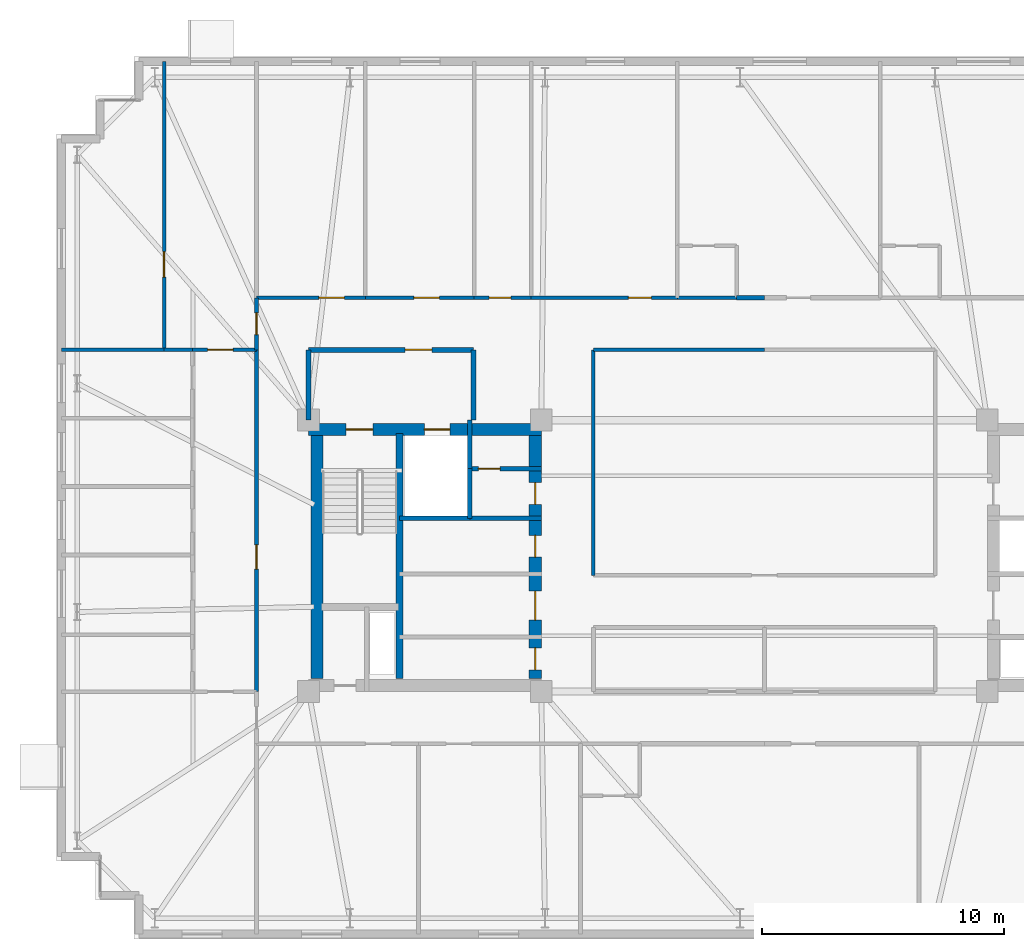
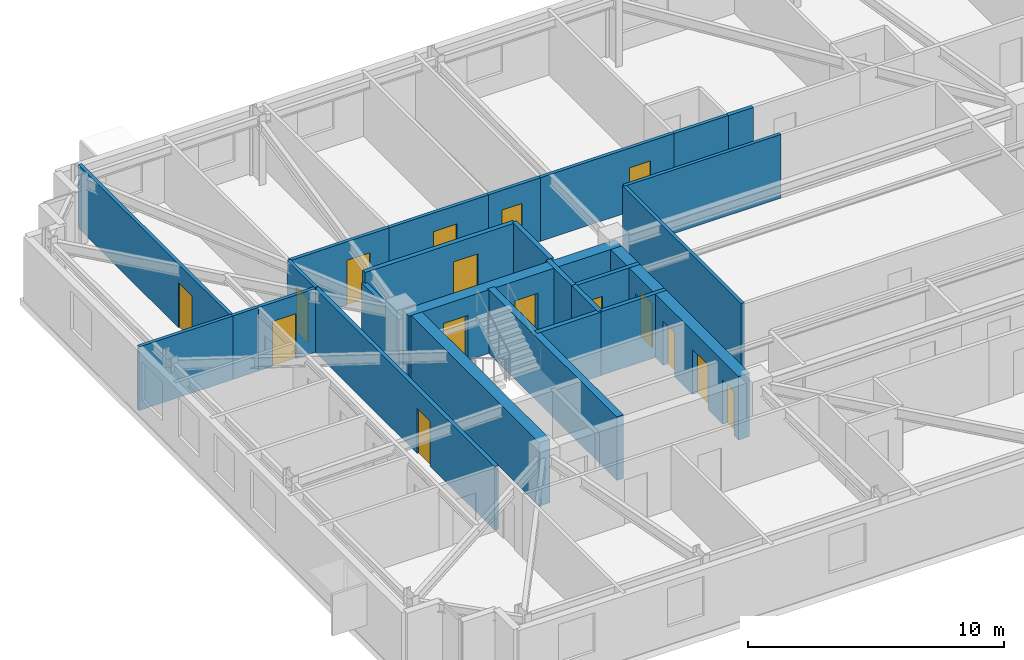
# One storey, part 12 of 17: 26 walls, 16 doors, 16 openings.
"""IFC4 building model written with IfcOpenShell, lengths in metres."""

from ifc_helpers import new_model, si_unit, direction, frame, frame_2d, origin, place, context, subcontext, project, spatial, rectangle, extrude, material, layer, layer_set, type_object, element, fill, save


model = new_model("IFC4")

# Units and contexts
model_context = context("Model", 3, precision=1e-05, world=origin(), true_north=direction((0.0, 1.0)))
body_context = subcontext(model_context, "Body", "Model", "MODEL_VIEW")
ifc_project = project(units=[si_unit("LENGTHUNIT", "METRE"), si_unit("AREAUNIT", "SQUARE_METRE"), si_unit("VOLUMEUNIT", "CUBIC_METRE"), si_unit("PLANEANGLEUNIT", "RADIAN"), si_unit("MASSUNIT", "GRAM", prefix="KILO")], contexts=[model_context])

# Site, building, storey
site_placement = place(None, origin())
site = spatial("IfcSite", under=ifc_project, at=site_placement, CompositionType="ELEMENT")
building_placement = place(site_placement, origin())
building = spatial("IfcBuilding", under=site, at=building_placement, Name="Qobustan Lattice House", CompositionType="ELEMENT")
storey_placement = place(building_placement, frame((0.0, 0.0, 167.85009765625)))
storey = spatial("IfcBuildingStorey", under=building, at=storey_placement, Name="L47", CompositionType="ELEMENT", Elevation=167.85009765625)

# Wall, openings, doors
ifc_material_1 = material(Name="Concrete C50/60", Category="concrete")
ifc_layer_1 = layer(ifc_material_1, 0.5)
ifc_layer_set_1 = layer_set([ifc_layer_1], Name="Concrete C50/60")
wall_type_1 = type_object("IfcWallType", Name="WAL-CORE-500", PredefinedType="SHEAR", material=ifc_layer_set_1)
wall_1_placement = place(storey_placement, frame((-18.800048828125, 5.2099609375, 0.0), z_axis=(0.0, 0.0, 1.0), x_axis=(1.0, 0.0, 0.0)))
wall_1 = element("IfcWall", 1, at=wall_1_placement, inside=storey, type_object=wall_type_1, Name="L47 split-core shear wall CW-N", PredefinedType="SHEAR", context=body_context, shape_type="SweptSolid", body=[
    extrude(rectangle(XDim=9.60009765625, YDim=0.5, at=frame_2d((4.800048828125, 0.0))), origin(), (0.0, 0.0, 1.0), 3.039794921875),
])
opening_1_placement = place(wall_1_placement, frame((1.550048828125, 0.0, 0.0)))
opening_1 = element("IfcOpeningElement", 2, at=opening_1_placement, cuts=wall_1, Name="Opening SD-01", PredefinedType="OPENING", context=body_context, shape_type="SweptSolid", body=[
    extrude(rectangle(XDim=1.10009765625, YDim=2.14990234375, at=frame_2d((0.550048828125, 1.074951171875))), frame((0.0, 0.260009765625, 0.0), z_axis=(0.0, -1.0, 0.0), x_axis=(1.0, 0.0, 0.0)), (0.0, 0.0, 1.0), 0.52001953125),
])
opening_2_placement = place(wall_1_placement, frame((4.77490234375, 0.0, 0.0)))
opening_2 = element("IfcOpeningElement", 3, at=opening_2_placement, cuts=wall_1, Name="Opening LD-01", PredefinedType="OPENING", context=body_context, shape_type="SweptSolid", body=[
    extrude(rectangle(XDim=1.050048828125, YDim=2.10009765625, at=frame_2d((0.52490234375, 1.050048828125))), frame((0.0, 0.260009765625, 0.0), z_axis=(0.0, -1.0, 0.0), x_axis=(1.0, 0.0, 0.0)), (0.0, 0.0, 1.0), 0.52001953125),
])
ifc_material_2 = material(Name="Persian walnut timber and steel frame door", Category="steel")
door_type_1 = type_object("IfcDoorType", Name="DOR-LIFT-LD-1050x2100", OperationType="NOTDEFINED", PredefinedType="DOOR", material=ifc_material_2)
door_1_placement = place(opening_2_placement, origin())
door_1 = element("IfcDoor", 4, at=door_1_placement, inside=storey, type_object=door_type_1, Name="L47 firefighting lift FF-W landing door", OperationType="DOUBLE_DOOR_SLIDING", OverallHeight=2.10009765625, OverallWidth=1.050048828125, PredefinedType="DOOR", context=body_context, shape_type="SweptSolid", body=[
    extrude(rectangle(XDim=1.050048828125, YDim=2.10009765625, at=frame_2d((0.52490234375, 1.050048828125))), frame((0.0, 0.02490234375, 0.0), z_axis=(0.0, -1.0, 0.0), x_axis=(1.0, 0.0, 0.0)), (0.0, 0.0, 1.0), 0.050048828125),
])
fill(opening_2, door_1)
ifc_material_3 = material(Name="Persian walnut timber and steel frame door", Category="steel")
door_type_2 = type_object("IfcDoorType", Name="DOR-STAIR-FD-1100x2150", OperationType="NOTDEFINED", PredefinedType="DOOR", material=ifc_material_3)
door_2_placement = place(opening_1_placement, origin())
door_2 = element("IfcDoor", 5, at=door_2_placement, inside=storey, type_object=door_type_2, Name="L47 exit stair ST-W1 fire door", OperationType="SINGLE_SWING_LEFT", OverallHeight=2.14990234375, OverallWidth=1.10009765625, PredefinedType="DOOR", context=body_context, shape_type="SweptSolid", body=[
    extrude(rectangle(XDim=1.10009765625, YDim=2.14990234375, at=frame_2d((0.550048828125, 1.074951171875))), frame((0.0, 0.02490234375, 0.0), z_axis=(0.0, -1.0, 0.0), x_axis=(1.0, 0.0, 0.0)), (0.0, 0.0, 1.0), 0.050048828125),
])
fill(opening_1, door_2)

# Wall
wall_2_placement = place(storey_placement, frame((-18.4599609375, -5.050048828125, 0.0), z_axis=(0.0, 0.0, 1.0), x_axis=(0.0, 1.0, 0.0)))
element("IfcWall", 6, at=wall_2_placement, inside=storey, type_object=wall_type_1, Name="L47 split-core shear wall CW-W", PredefinedType="SHEAR", context=body_context, shape_type="SweptSolid", body=[
    extrude(rectangle(XDim=10.10009765625, YDim=0.5, at=frame_2d((5.050048828125, 0.0))), origin(), (0.0, 0.0, 1.0), 3.039794921875),
])

# Wall, openings, doors
wall_3_placement = place(storey_placement, frame((-9.449951171875, -5.050048828125, 0.0), z_axis=(0.0, 0.0, 1.0), x_axis=(0.0, 1.0, 0.0)))
wall_3 = element("IfcWall", 7, at=wall_3_placement, inside=storey, type_object=wall_type_1, Name="L47 split-core shear wall CW-E", PredefinedType="SHEAR", context=body_context, shape_type="SweptSolid", body=[
    extrude(rectangle(XDim=10.10009765625, YDim=0.5, at=frame_2d((5.050048828125, 0.0))), origin(), (0.0, 0.0, 1.0), 3.039794921875),
])
opening_3_placement = place(wall_3_placement, frame((7.175048828125, 0.0, 0.0)))
opening_3 = element("IfcOpeningElement", 8, at=opening_3_placement, cuts=wall_3, Name="Opening RD-01", PredefinedType="OPENING", context=body_context, shape_type="SweptSolid", body=[
    extrude(rectangle(XDim=0.89990234375, YDim=2.10009765625, at=frame_2d((0.449951171875, 1.050048828125))), frame((0.0, 0.260009765625, 0.0), z_axis=(0.0, -1.0, 0.0), x_axis=(1.0, 0.0, 0.0)), (0.0, 0.0, 1.0), 0.52001953125),
])
opening_4_placement = place(wall_3_placement, frame((2.39990234375, 0.0, 0.0)))
opening_4 = element("IfcOpeningElement", 9, at=opening_4_placement, cuts=wall_3, Name="Opening FD-01", PredefinedType="OPENING", context=body_context, shape_type="SweptSolid", body=[
    extrude(rectangle(XDim=1.199951171875, YDim=2.14990234375, at=frame_2d((0.60009765625, 1.074951171875))), frame((0.0, 0.260009765625, 0.0), z_axis=(0.0, -1.0, 0.0), x_axis=(1.0, 0.0, 0.0)), (0.0, 0.0, 1.0), 0.52001953125),
])
opening_5_placement = place(wall_3_placement, frame((0.35009765625, 0.0, 0.0)))
opening_5 = element("IfcOpeningElement", 10, at=opening_5_placement, cuts=wall_3, Name="Opening RD-01", PredefinedType="OPENING", context=body_context, shape_type="SweptSolid", body=[
    extrude(rectangle(XDim=0.89990234375, YDim=2.10009765625, at=frame_2d((0.449951171875, 1.050048828125))), frame((0.0, 0.260009765625, 0.0), z_axis=(0.0, -1.0, 0.0), x_axis=(1.0, 0.0, 0.0)), (0.0, 0.0, 1.0), 0.52001953125),
])
opening_6_placement = place(wall_3_placement, frame((5.0, 0.0, 0.0)))
opening_6 = element("IfcOpeningElement", 11, at=opening_6_placement, cuts=wall_3, Name="Opening RD-01", PredefinedType="OPENING", context=body_context, shape_type="SweptSolid", body=[
    extrude(rectangle(XDim=0.89990234375, YDim=2.10009765625, at=frame_2d((0.449951171875, 1.050048828125))), frame((0.0, 0.260009765625, 0.0), z_axis=(0.0, -1.0, 0.0), x_axis=(1.0, 0.0, 0.0)), (0.0, 0.0, 1.0), 0.52001953125),
])
ifc_material_4 = material(Name="Persian walnut timber and steel frame door", Category="steel")
door_type_3 = type_object("IfcDoorType", Name="DOR-LOBBY-FD-1200x2150", OperationType="NOTDEFINED", PredefinedType="DOOR", material=ifc_material_4)
door_3_placement = place(opening_4_placement, origin())
door_3 = element("IfcDoor", 12, at=door_3_placement, inside=storey, type_object=door_type_3, Name="L47 West core foyer fire door", OperationType="SINGLE_SWING_RIGHT", OverallHeight=2.14990234375, OverallWidth=1.199951171875, PredefinedType="DOOR", context=body_context, shape_type="SweptSolid", body=[
    extrude(rectangle(XDim=1.199951171875, YDim=2.14990234375, at=frame_2d((0.60009765625, 1.074951171875))), frame((0.0, 0.02490234375, 0.0), z_axis=(0.0, -1.0, 0.0), x_axis=(1.0, 0.0, 0.0)), (0.0, 0.0, 1.0), 0.050048828125),
])
fill(opening_4, door_3)
ifc_material_5 = material(Name="Persian walnut timber and steel frame door", Category="steel")
door_type_4 = type_object("IfcDoorType", Name="DOR-RISER-FD-900x2100", OperationType="NOTDEFINED", PredefinedType="DOOR", material=ifc_material_5)
door_4_placement = place(opening_3_placement, origin())
door_4 = element("IfcDoor", 13, at=door_4_placement, inside=storey, type_object=door_type_4, Name="L47 Core utility lobby fire door", OperationType="SINGLE_SWING_LEFT", OverallHeight=2.10009765625, OverallWidth=0.89990234375, PredefinedType="DOOR", context=body_context, shape_type="SweptSolid", body=[
    extrude(rectangle(XDim=0.89990234375, YDim=2.10009765625, at=frame_2d((0.449951171875, 1.050048828125))), frame((0.0, 0.02490234375, 0.0), z_axis=(0.0, -1.0, 0.0), x_axis=(1.0, 0.0, 0.0)), (0.0, 0.0, 1.0), 0.050048828125),
])
fill(opening_3, door_4)
door_5_placement = place(opening_5_placement, origin())
door_5 = element("IfcDoor", 14, at=door_5_placement, inside=storey, type_object=door_type_4, Name="L47 Quiet study alcove fire door", OperationType="SINGLE_SWING_LEFT", OverallHeight=2.10009765625, OverallWidth=0.89990234375, PredefinedType="DOOR", context=body_context, shape_type="SweptSolid", body=[
    extrude(rectangle(XDim=0.89990234375, YDim=2.10009765625, at=frame_2d((0.449951171875, 1.050048828125))), frame((0.0, 0.02490234375, 0.0), z_axis=(0.0, -1.0, 0.0), x_axis=(1.0, 0.0, 0.0)), (0.0, 0.0, 1.0), 0.050048828125),
])
fill(opening_5, door_5)
door_6_placement = place(opening_6_placement, origin())
door_6 = element("IfcDoor", 15, at=door_6_placement, inside=storey, type_object=door_type_4, Name="L47 Resident reading pod fire door", OperationType="SINGLE_SWING_RIGHT", OverallHeight=2.10009765625, OverallWidth=0.89990234375, PredefinedType="DOOR", context=body_context, shape_type="SweptSolid", body=[
    extrude(rectangle(XDim=0.89990234375, YDim=2.10009765625, at=frame_2d((0.449951171875, 1.050048828125))), frame((0.0, 0.02490234375, 0.0), z_axis=(0.0, -1.0, 0.0), x_axis=(1.0, 0.0, 0.0)), (0.0, 0.0, 1.0), 0.050048828125),
])
fill(opening_6, door_6)

# Wall
ifc_material_6 = material(Name="Concrete C50/60", Category="concrete")
ifc_layer_2 = layer(ifc_material_6, 0.280029296875)
ifc_layer_set_2 = layer_set([ifc_layer_2], Name="Concrete C50/60")
wall_type_2 = type_object("IfcWallType", Name="WAL-CORE-SPINE-280", PredefinedType="SHEAR", material=ifc_layer_set_2)
wall_4_placement = place(storey_placement, frame((-15.050048828125, -5.050048828125, 0.0), z_axis=(0.0, 0.0, 1.0), x_axis=(0.0, 1.0, 0.0)))
element("IfcWall", 16, at=wall_4_placement, inside=storey, type_object=wall_type_2, Name="L47 split-core shear wall CW-M", PredefinedType="SHEAR", context=body_context, shape_type="SweptSolid", body=[
    extrude(rectangle(XDim=10.10009765625, YDim=0.300048828125, at=frame_2d((5.050048828125, 0.0))), origin(), (0.0, 0.0, 1.0), 3.039794921875),
])

# Wall, opening, door
ifc_material_7 = material(Name="Gypsum fireboard acoustic partition", Category="gypsum")
ifc_layer_3 = layer(ifc_material_7, 0.179931640625)
ifc_layer_set_3 = layer_set([ifc_layer_3], Name="Gypsum fireboard acoustic partition")
wall_type_3 = type_object("IfcWallType", Name="WAL-FIRE-180", PredefinedType="PARTITIONING", material=ifc_layer_set_3)
wall_5_placement = place(storey_placement, frame((-9.199951171875, 3.60009765625, 0.0), z_axis=(0.0, 0.0, 1.0), x_axis=(-1.0, 0.0, 0.0)))
wall_5 = element("IfcWall", 17, at=wall_5_placement, inside=storey, type_object=wall_type_3, Name="L47 interior partition 7", PredefinedType="PARTITIONING", context=body_context, shape_type="SweptSolid", body=[
    extrude(rectangle(XDim=2.949951171875, YDim=0.179931640625, at=frame_2d((1.47509765625, 0.0))), origin(), (0.0, 0.0, 1.0), 3.039794921875),
])
opening_7_placement = place(wall_5_placement, frame((1.699951171875, 0.0, 0.0)))
opening_7 = element("IfcOpeningElement", 18, at=opening_7_placement, cuts=wall_5, Name="Opening RD-01", PredefinedType="OPENING", context=body_context, shape_type="SweptSolid", body=[
    extrude(rectangle(XDim=0.89990234375, YDim=2.10009765625, at=frame_2d((0.449951171875, 1.050048828125))), frame((0.0, 0.099853515625, 0.0), z_axis=(0.0, -1.0, 0.0), x_axis=(1.0, 0.0, 0.0)), (0.0, 0.0, 1.0), 0.199951171875),
])
door_7_placement = place(opening_7_placement, origin())
door_7 = element("IfcDoor", 19, at=door_7_placement, inside=storey, type_object=door_type_4, Name="L47 Core utility lobby to Cleaner store door", OperationType="SINGLE_SWING_RIGHT", OverallHeight=2.10009765625, OverallWidth=0.89990234375, PredefinedType="DOOR", context=body_context, shape_type="SweptSolid", body=[
    extrude(rectangle(XDim=0.89990234375, YDim=2.10009765625, at=frame_2d((0.449951171875, 1.050048828125))), frame((0.0, 0.02490234375, 0.0), z_axis=(0.0, -1.0, 0.0), x_axis=(1.0, 0.0, 0.0)), (0.0, 0.0, 1.0), 0.050048828125),
])
fill(opening_7, door_7)

# Walls
wall_6_placement = place(storey_placement, frame((-12.14990234375, 1.550048828125, 0.0), z_axis=(0.0, 0.0, 1.0), x_axis=(1.0, 0.0, 0.0)))
element("IfcWall", 20, at=wall_6_placement, inside=storey, type_object=wall_type_3, Name="L47 interior partition 8", PredefinedType="PARTITIONING", context=body_context, shape_type="SweptSolid", body=[
    extrude(rectangle(XDim=2.949951171875, YDim=0.179931640625, at=frame_2d((1.47509765625, 0.0))), origin(), (0.0, 0.0, 1.0), 3.039794921875),
])
wall_7_placement = place(storey_placement, frame((-1.139892578125, 10.64990234375, 0.0), z_axis=(0.0, 0.0, 1.0), x_axis=(1.0, 0.0, 0.0)))
element("IfcWall", 21, at=wall_7_placement, inside=storey, type_object=wall_type_3, Name="L47 interior partition 37", PredefinedType="PARTITIONING", context=body_context, shape_type="SweptSolid", body=[
    extrude(rectangle(XDim=1.139892578125, YDim=0.179931640625, at=frame_2d((0.56982421875, 0.0))), origin(), (0.0, 0.0, 1.0), 3.039794921875),
])

# Wall, opening, door
wall_8_placement = place(storey_placement, frame((-20.949951171875, -5.60009765625, 0.0), z_axis=(0.0, 0.0, 1.0), x_axis=(0.0, 1.0, 0.0)))
wall_8 = element("IfcWall", 22, at=wall_8_placement, inside=storey, type_object=wall_type_3, Name="L47 interior partition 57", PredefinedType="PARTITIONING", context=body_context, shape_type="SweptSolid", body=[
    extrude(rectangle(XDim=14.10009765625, YDim=0.179931640625, at=frame_2d((7.050048828125, 0.0))), origin(), (0.0, 0.0, 1.0), 3.039794921875),
])
opening_8_placement = place(wall_8_placement, frame((5.0576171875, 0.0, 0.0)))
opening_8 = element("IfcOpeningElement", 23, at=opening_8_placement, cuts=wall_8, Name="Opening FD-02", PredefinedType="OPENING", context=body_context, shape_type="SweptSolid", body=[
    extrude(rectangle(XDim=1.0, YDim=2.14990234375, at=frame_2d((0.5, 1.074951171875))), frame((0.0, 0.099853515625, 0.0), z_axis=(0.0, -1.0, 0.0), x_axis=(1.0, 0.0, 0.0)), (0.0, 0.0, 1.0), 0.199951171875),
])
ifc_material_8 = material(Name="Persian walnut timber and steel frame door", Category="steel")
door_type_5 = type_object("IfcDoorType", Name="DOR-UNIT-FD-1000x2150", OperationType="NOTDEFINED", PredefinedType="DOOR", material=ifc_material_8)
door_8_placement = place(opening_8_placement, origin())
door_8 = element("IfcDoor", 24, at=door_8_placement, inside=storey, type_object=door_type_5, Name="L47 West wing spine gallery to Residence entrance hall L47W door", OperationType="SINGLE_SWING_RIGHT", OverallHeight=2.14990234375, OverallWidth=1.0, PredefinedType="DOOR", context=body_context, shape_type="SweptSolid", body=[
    extrude(rectangle(XDim=1.0, YDim=2.14990234375, at=frame_2d((0.5, 1.074951171875))), frame((0.0, 0.02490234375, 0.0), z_axis=(0.0, -1.0, 0.0), x_axis=(1.0, 0.0, 0.0)), (0.0, 0.0, 1.0), 0.050048828125),
])
fill(opening_8, door_8)

ifc_material_9 = material(Name="Acoustic twin-stud gypsum partition", Category="gypsum")
ifc_layer_4 = layer(ifc_material_9, 0.14990234375)
ifc_layer_set_4 = layer_set([ifc_layer_4], Name="Acoustic twin-stud gypsum partition")
wall_type_4 = type_object("IfcWallType", Name="WAL-PART-150", PredefinedType="PARTITIONING", material=ifc_layer_set_4)
wall_9_placement = place(storey_placement, frame((-20.949951171875, 8.5, 0.0), z_axis=(0.0, 0.0, 1.0), x_axis=(0.0, 1.0, 0.0)))
wall_9 = element("IfcWall", 25, at=wall_9_placement, inside=storey, type_object=wall_type_4, Name="L47 interior partition 32", PredefinedType="PARTITIONING", context=body_context, shape_type="SweptSolid", body=[
    extrude(rectangle(XDim=2.14990234375, YDim=0.14990234375, at=frame_2d((1.074951171875, 0.0))), origin(), (0.0, 0.0, 1.0), 3.039794921875),
])
opening_9_placement = place(wall_9_placement, frame((0.625, 0.0, 0.0)))
opening_9 = element("IfcOpeningElement", 26, at=opening_9_placement, cuts=wall_9, Name="Opening WD-01", PredefinedType="OPENING", context=body_context, shape_type="SweptSolid", body=[
    extrude(rectangle(XDim=0.89990234375, YDim=2.10009765625, at=frame_2d((0.449951171875, 1.050048828125))), frame((0.0, 0.0849609375, 0.0), z_axis=(0.0, -1.0, 0.0), x_axis=(1.0, 0.0, 0.0)), (0.0, 0.0, 1.0), 0.169921875),
])
ifc_material_10 = material(Name="Persian walnut timber and steel frame door", Category="steel")
door_type_6 = type_object("IfcDoorType", Name="DOR-WET-900x2100", OperationType="NOTDEFINED", PredefinedType="DOOR", material=ifc_material_10)
door_9_placement = place(opening_9_placement, origin())
door_9 = element("IfcDoor", 27, at=door_9_placement, inside=storey, type_object=door_type_6, Name="L47 North-west floor corridor to Reading seminar room L47WN door", OperationType="SINGLE_SWING_RIGHT", OverallHeight=2.10009765625, OverallWidth=0.89990234375, PredefinedType="DOOR", context=body_context, shape_type="SweptSolid", body=[
    extrude(rectangle(XDim=0.89990234375, YDim=2.10009765625, at=frame_2d((0.449951171875, 1.050048828125))), frame((0.0, 0.02490234375, 0.0), z_axis=(0.0, -1.0, 0.0), x_axis=(1.0, 0.0, 0.0)), (0.0, 0.0, 1.0), 0.050048828125),
])
fill(opening_9, door_9)

wall_10_placement = place(storey_placement, frame((-20.949951171875, 10.64990234375, 0.0), z_axis=(0.0, 0.0, 1.0), x_axis=(1.0, 0.0, 0.0)))
wall_10 = element("IfcWall", 28, at=wall_10_placement, inside=storey, type_object=wall_type_4, Name="L47 interior partition 33", PredefinedType="PARTITIONING", context=body_context, shape_type="SweptSolid", body=[
    extrude(rectangle(XDim=4.489990234375, YDim=0.14990234375, at=frame_2d((2.2451171875, 0.0))), origin(), (0.0, 0.0, 1.0), 3.039794921875),
])
opening_10_placement = place(wall_10_placement, frame((2.574951171875, 0.0, 0.0)))
opening_10 = element("IfcOpeningElement", 29, at=opening_10_placement, cuts=wall_10, Name="Opening ID-02", PredefinedType="OPENING", context=body_context, shape_type="SweptSolid", body=[
    extrude(rectangle(XDim=1.050048828125, YDim=2.14990234375, at=frame_2d((0.52490234375, 1.074951171875))), frame((0.0, 0.0849609375, 0.0), z_axis=(0.0, -1.0, 0.0), x_axis=(1.0, 0.0, 0.0)), (0.0, 0.0, 1.0), 0.169921875),
])
ifc_material_11 = material(Name="Persian walnut timber and steel frame door", Category="steel")
door_type_7 = type_object("IfcDoorType", Name="DOR-STUDY-1050x2150", OperationType="NOTDEFINED", PredefinedType="DOOR", material=ifc_material_11)
door_10_placement = place(opening_10_placement, origin())
door_10 = element("IfcDoor", 30, at=door_10_placement, inside=storey, type_object=door_type_7, Name="L47 North-west floor corridor to Focus study room N1A door", OperationType="SINGLE_SWING_LEFT", OverallHeight=2.14990234375, OverallWidth=1.050048828125, PredefinedType="DOOR", context=body_context, shape_type="SweptSolid", body=[
    extrude(rectangle(XDim=1.050048828125, YDim=2.14990234375, at=frame_2d((0.52490234375, 1.074951171875))), frame((0.0, 0.02490234375, 0.0), z_axis=(0.0, -1.0, 0.0), x_axis=(1.0, 0.0, 0.0)), (0.0, 0.0, 1.0), 0.050048828125),
])
fill(opening_10, door_10)

wall_11_placement = place(storey_placement, frame((-16.4599609375, 10.64990234375, 0.0), z_axis=(0.0, 0.0, 1.0), x_axis=(1.0, 0.0, 0.0)))
wall_11 = element("IfcWall", 31, at=wall_11_placement, inside=storey, type_object=wall_type_4, Name="L47 interior partition 34", PredefinedType="PARTITIONING", context=body_context, shape_type="SweptSolid", body=[
    extrude(rectangle(XDim=4.489990234375, YDim=0.14990234375, at=frame_2d((2.2451171875, 0.0))), origin(), (0.0, 0.0, 1.0), 3.039794921875),
])
opening_11_placement = place(wall_11_placement, frame((2.0048828125, 0.0, 0.0)))
opening_11 = element("IfcOpeningElement", 32, at=opening_11_placement, cuts=wall_11, Name="Opening ID-02", PredefinedType="OPENING", context=body_context, shape_type="SweptSolid", body=[
    extrude(rectangle(XDim=1.050048828125, YDim=2.14990234375, at=frame_2d((0.52490234375, 1.074951171875))), frame((0.0, 0.0849609375, 0.0), z_axis=(0.0, -1.0, 0.0), x_axis=(1.0, 0.0, 0.0)), (0.0, 0.0, 1.0), 0.169921875),
])
door_11_placement = place(opening_11_placement, origin())
door_11 = element("IfcDoor", 33, at=door_11_placement, inside=storey, type_object=door_type_7, Name="L47 North-west floor corridor to Focus study room N1B door", OperationType="SINGLE_SWING_RIGHT", OverallHeight=2.14990234375, OverallWidth=1.050048828125, PredefinedType="DOOR", context=body_context, shape_type="SweptSolid", body=[
    extrude(rectangle(XDim=1.050048828125, YDim=2.14990234375, at=frame_2d((0.52490234375, 1.074951171875))), frame((0.0, 0.02490234375, 0.0), z_axis=(0.0, -1.0, 0.0), x_axis=(1.0, 0.0, 0.0)), (0.0, 0.0, 1.0), 0.050048828125),
])
fill(opening_11, door_11)

wall_12_placement = place(storey_placement, frame((-9.6201171875, 10.64990234375, 0.0), z_axis=(0.0, 0.0, 1.0), x_axis=(1.0, 0.0, 0.0)))
wall_12 = element("IfcWall", 34, at=wall_12_placement, inside=storey, type_object=wall_type_4, Name="L47 interior partition 36", PredefinedType="PARTITIONING", context=body_context, shape_type="SweptSolid", body=[
    extrude(rectangle(XDim=6.030029296875, YDim=0.14990234375, at=frame_2d((3.01513671875, 0.0))), origin(), (0.0, 0.0, 1.0), 3.039794921875),
])
opening_12_placement = place(wall_12_placement, frame((4.010009765625, 0.0, 0.0)))
opening_12 = element("IfcOpeningElement", 35, at=opening_12_placement, cuts=wall_12, Name="Opening ID-01", PredefinedType="OPENING", context=body_context, shape_type="SweptSolid", body=[
    extrude(rectangle(XDim=0.949951171875, YDim=2.10009765625, at=frame_2d((0.47509765625, 1.050048828125))), frame((0.0, 0.0849609375, 0.0), z_axis=(0.0, -1.0, 0.0), x_axis=(1.0, 0.0, 0.0)), (0.0, 0.0, 1.0), 0.169921875),
])
ifc_material_12 = material(Name="Persian walnut timber and steel frame door", Category="steel")
door_type_8 = type_object("IfcDoorType", Name="DOR-ROOM-950x2100", OperationType="NOTDEFINED", PredefinedType="DOOR", material=ifc_material_12)
door_12_placement = place(opening_12_placement, origin())
door_12 = element("IfcDoor", 36, at=door_12_placement, inside=storey, type_object=door_type_8, Name="L47 North-west floor corridor to Laundry utility room door", OperationType="SINGLE_SWING_RIGHT", OverallHeight=2.10009765625, OverallWidth=0.949951171875, PredefinedType="DOOR", context=body_context, shape_type="SweptSolid", body=[
    extrude(rectangle(XDim=0.949951171875, YDim=2.10009765625, at=frame_2d((0.47509765625, 1.050048828125))), frame((0.0, 0.02490234375, 0.0), z_axis=(0.0, -1.0, 0.0), x_axis=(1.0, 0.0, 0.0)), (0.0, 0.0, 1.0), 0.050048828125),
])
fill(opening_12, door_12)

# Walls
wall_13_placement = place(storey_placement, frame((0.0, 8.5, 0.0), z_axis=(0.0, 0.0, 1.0), x_axis=(-1.0, 0.0, 0.0)))
element("IfcWall", 37, at=wall_13_placement, inside=storey, type_object=wall_type_4, Name="L47 interior partition 39", PredefinedType="PARTITIONING", context=body_context, shape_type="SweptSolid", body=[
    extrude(rectangle(XDim=7.050048828125, YDim=0.14990234375, at=frame_2d((3.52490234375, 0.0))), origin(), (0.0, 0.0, 1.0), 3.039794921875),
])
wall_14_placement = place(storey_placement, frame((-7.050048828125, 8.5, 0.0), z_axis=(0.0, 0.0, 1.0), x_axis=(0.0, -1.0, 0.0)))
element("IfcWall", 38, at=wall_14_placement, inside=storey, type_object=wall_type_4, Name="L47 interior partition 63", PredefinedType="PARTITIONING", context=body_context, shape_type="SweptSolid", body=[
    extrude(rectangle(XDim=9.300048828125, YDim=0.14990234375, at=frame_2d((4.64990234375, 0.0))), origin(), (0.0, 0.0, 1.0), 3.039794921875),
])

# Wall, opening, door
wall_15_placement = place(storey_placement, frame((-23.60009765625, 8.5, 0.0), z_axis=(0.0, 0.0, 1.0), x_axis=(1.0, 0.0, 0.0)))
wall_15 = element("IfcWall", 39, at=wall_15_placement, inside=storey, type_object=wall_type_4, Name="L47 interior partition 67", PredefinedType="PARTITIONING", context=body_context, shape_type="SweptSolid", body=[
    extrude(rectangle(XDim=2.650146484375, YDim=0.14990234375, at=frame_2d((1.3251953125, 0.0))), origin(), (0.0, 0.0, 1.0), 3.039794921875),
])
opening_13_placement = place(wall_15_placement, frame((0.635009765625, 0.0, 0.0)))
opening_13 = element("IfcOpeningElement", 40, at=opening_13_placement, cuts=wall_15, Name="Opening ID-02", PredefinedType="OPENING", context=body_context, shape_type="SweptSolid", body=[
    extrude(rectangle(XDim=1.050048828125, YDim=2.14990234375, at=frame_2d((0.52490234375, 1.074951171875))), frame((0.0, 0.0849609375, 0.0), z_axis=(0.0, -1.0, 0.0), x_axis=(1.0, 0.0, 0.0)), (0.0, 0.0, 1.0), 0.169921875),
])
door_13_placement = place(opening_13_placement, origin())
door_13 = element("IfcDoor", 41, at=door_13_placement, inside=storey, type_object=door_type_7, Name="L47 Residence entrance hall L47W to Reading seminar room L47WN door", OperationType="SINGLE_SWING_RIGHT", OverallHeight=2.14990234375, OverallWidth=1.050048828125, PredefinedType="DOOR", context=body_context, shape_type="SweptSolid", body=[
    extrude(rectangle(XDim=1.050048828125, YDim=2.14990234375, at=frame_2d((0.52490234375, 1.074951171875))), frame((0.0, 0.02490234375, 0.0), z_axis=(0.0, -1.0, 0.0), x_axis=(1.0, 0.0, 0.0)), (0.0, 0.0, 1.0), 0.050048828125),
])
fill(opening_13, door_13)

wall_16_placement = place(storey_placement, frame((-24.764892578125, 8.5, 0.0), z_axis=(0.0, 0.0, 1.0), x_axis=(0.0, 1.0, 0.0)))
wall_16 = element("IfcWall", 42, at=wall_16_placement, inside=storey, type_object=wall_type_4, Name="L47 interior partition 74", PredefinedType="PARTITIONING", context=body_context, shape_type="SweptSolid", body=[
    extrude(rectangle(XDim=11.89990234375, YDim=0.14990234375, at=frame_2d((5.949951171875, 0.0))), origin(), (0.0, 0.0, 1.0), 3.039794921875),
])
opening_14_placement = place(wall_16_placement, frame((3.00244140625, 0.0, 0.0)))
opening_14 = element("IfcOpeningElement", 43, at=opening_14_placement, cuts=wall_16, Name="Opening ID-02", PredefinedType="OPENING", context=body_context, shape_type="SweptSolid", body=[
    extrude(rectangle(XDim=1.050048828125, YDim=2.14990234375, at=frame_2d((0.52490234375, 1.074951171875))), frame((0.0, 0.0849609375, 0.0), z_axis=(0.0, -1.0, 0.0), x_axis=(1.0, 0.0, 0.0)), (0.0, 0.0, 1.0), 0.169921875),
])
door_14_placement = place(opening_14_placement, origin())
door_14 = element("IfcDoor", 44, at=door_14_placement, inside=storey, type_object=door_type_7, Name="L47 Reading seminar room L47WN to Collaborative study room L47WN door", OperationType="SINGLE_SWING_LEFT", OverallHeight=2.14990234375, OverallWidth=1.050048828125, PredefinedType="DOOR", context=body_context, shape_type="SweptSolid", body=[
    extrude(rectangle(XDim=1.050048828125, YDim=2.14990234375, at=frame_2d((0.52490234375, 1.074951171875))), frame((0.0, 0.02490234375, 0.0), z_axis=(0.0, -1.0, 0.0), x_axis=(1.0, 0.0, 0.0)), (0.0, 0.0, 1.0), 0.050048828125),
])
fill(opening_14, door_14)

# Walls
wall_17_placement = place(storey_placement, frame((-23.60009765625, 8.5, 0.0), z_axis=(0.0, 0.0, 1.0), x_axis=(-1.0, 0.0, 0.0)))
element("IfcWall", 45, at=wall_17_placement, inside=storey, type_object=wall_type_4, Name="L47 interior partition 75", PredefinedType="PARTITIONING", context=body_context, shape_type="SweptSolid", body=[
    extrude(rectangle(XDim=1.164794921875, YDim=0.14990234375, at=frame_2d((0.58251953125, 0.0))), origin(), (0.0, 0.0, 1.0), 3.039794921875),
])
wall_18_placement = place(storey_placement, frame((-24.764892578125, 8.5, 0.0), z_axis=(0.0, 0.0, 1.0), x_axis=(-1.0, 0.0, 0.0)))
element("IfcWall", 46, at=wall_18_placement, inside=storey, type_object=wall_type_4, Name="L47 interior partition 77", PredefinedType="PARTITIONING", context=body_context, shape_type="SweptSolid", body=[
    extrude(rectangle(XDim=4.235107421875, YDim=0.14990234375, at=frame_2d((2.11767578125, 0.0))), origin(), (0.0, 0.0, 1.0), 3.039794921875),
])

# Wall, opening, door
ifc_material_13 = material(Name="Two-hour gypsum fireboard acoustic partition", Category="gypsum")
ifc_layer_5 = layer(ifc_material_13, 0.199951171875)
ifc_layer_set_5 = layer_set([ifc_layer_5], Name="Two-hour gypsum fireboard acoustic partition")
wall_type_5 = type_object("IfcWallType", Name="WAL-PROT-200", PredefinedType="PARTITIONING", material=ifc_layer_set_5)
wall_19_placement = place(storey_placement, frame((-12.0, 8.5, 0.0), z_axis=(0.0, 0.0, 1.0), x_axis=(-1.0, 0.0, 0.0)))
wall_19 = element("IfcWall", 47, at=wall_19_placement, inside=storey, type_object=wall_type_5, Name="L47 interior partition 4", PredefinedType="PARTITIONING", context=body_context, shape_type="SweptSolid", body=[
    extrude(rectangle(XDim=6.800048828125, YDim=0.199951171875, at=frame_2d((3.39990234375, 0.0))), origin(), (0.0, 0.0, 1.0), 3.039794921875),
])
opening_15_placement = place(wall_19_placement, frame((1.715087890625, 0.0, 0.0)))
opening_15 = element("IfcOpeningElement", 48, at=opening_15_placement, cuts=wall_19, Name="Opening SD-01", PredefinedType="OPENING", context=body_context, shape_type="SweptSolid", body=[
    extrude(rectangle(XDim=1.10009765625, YDim=2.14990234375, at=frame_2d((0.550048828125, 1.074951171875))), frame((0.0, 0.10986328125, 0.0), z_axis=(0.0, -1.0, 0.0), x_axis=(1.0, 0.0, 0.0)), (0.0, 0.0, 1.0), 0.219970703125),
])
door_15_placement = place(opening_15_placement, origin())
door_15 = element("IfcDoor", 49, at=door_15_placement, inside=storey, type_object=door_type_2, Name="L47 West firefighting lift lobby to North-west floor corridor door", OperationType="SINGLE_SWING_LEFT", OverallHeight=2.14990234375, OverallWidth=1.10009765625, PredefinedType="DOOR", context=body_context, shape_type="SweptSolid", body=[
    extrude(rectangle(XDim=1.10009765625, YDim=2.14990234375, at=frame_2d((0.550048828125, 1.074951171875))), frame((0.0, 0.02490234375, 0.0), z_axis=(0.0, -1.0, 0.0), x_axis=(1.0, 0.0, 0.0)), (0.0, 0.0, 1.0), 0.050048828125),
])
fill(opening_15, door_15)

# Walls
wall_20_placement = place(storey_placement, frame((-18.800048828125, 8.5, 0.0), z_axis=(0.0, 0.0, 1.0), x_axis=(0.0, -1.0, 0.0)))
element("IfcWall", 50, at=wall_20_placement, inside=storey, type_object=wall_type_5, Name="L47 interior partition 5", PredefinedType="PARTITIONING", context=body_context, shape_type="SweptSolid", body=[
    extrude(rectangle(XDim=2.89990234375, YDim=0.199951171875, at=frame_2d((1.449951171875, 0.0))), origin(), (0.0, 0.0, 1.0), 2.52490234375),
])
wall_21_placement = place(storey_placement, frame((-12.0, 5.60009765625, 0.0), z_axis=(0.0, 0.0, 1.0), x_axis=(0.0, 1.0, 0.0)))
element("IfcWall", 51, at=wall_21_placement, inside=storey, type_object=wall_type_5, Name="L47 interior partition 6", PredefinedType="PARTITIONING", context=body_context, shape_type="SweptSolid", body=[
    extrude(rectangle(XDim=2.89990234375, YDim=0.199951171875, at=frame_2d((1.449951171875, 0.0))), origin(), (0.0, 0.0, 1.0), 3.039794921875),
])
ifc_material_14 = material(Name="Concrete C40/50", Category="concrete")
ifc_layer_6 = layer(ifc_material_14, 0.199951171875)
ifc_layer_set_6 = layer_set([ifc_layer_6], Name="Concrete C40/50")
wall_type_6 = type_object("IfcWallType", Name="WAL-SHAFT-200", PredefinedType="PARTITIONING", material=ifc_layer_set_6)
wall_22_placement = place(storey_placement, frame((-12.14990234375, 1.550048828125, 0.0), z_axis=(0.0, 0.0, 1.0), x_axis=(0.0, 1.0, 0.0)))
element("IfcWall", 52, at=wall_22_placement, inside=storey, type_object=wall_type_6, Name="L47 interior partition 2", PredefinedType="PARTITIONING", context=body_context, shape_type="SweptSolid", body=[
    extrude(rectangle(XDim=2.050048828125, YDim=0.199951171875, at=frame_2d((1.02490234375, 0.0))), origin(), (0.0, 0.0, 1.0), 3.039794921875),
])
wall_23_placement = place(storey_placement, frame((-12.14990234375, 3.60009765625, 0.0), z_axis=(0.0, 0.0, 1.0), x_axis=(0.0, 1.0, 0.0)))
element("IfcWall", 53, at=wall_23_placement, inside=storey, type_object=wall_type_6, Name="L47 interior partition 3", PredefinedType="PARTITIONING", context=body_context, shape_type="SweptSolid", body=[
    extrude(rectangle(XDim=2.0, YDim=0.199951171875, at=frame_2d((1.0, 0.0))), origin(), (0.0, 0.0, 1.0), 3.039794921875),
])
wall_24_placement = place(storey_placement, frame((-15.050048828125, 1.550048828125, 0.0), z_axis=(0.0, 0.0, 1.0), x_axis=(1.0, 0.0, 0.0)))
element("IfcWall", 54, at=wall_24_placement, inside=storey, type_object=wall_type_6, Name="L47 interior partition 107", PredefinedType="PARTITIONING", context=body_context, shape_type="SweptSolid", body=[
    extrude(rectangle(XDim=2.900146484375, YDim=0.199951171875, at=frame_2d((1.4501953125, 0.0))), origin(), (0.0, 0.0, 1.0), 3.039794921875),
])

# Wall, opening, door
ifc_material_15 = material(Name="Moisture-resistant acoustic plumbing wall", Category="gypsum")
ifc_layer_7 = layer(ifc_material_15, 0.14990234375)
ifc_layer_set_7 = layer_set([ifc_layer_7], Name="Moisture-resistant acoustic plumbing wall")
wall_type_7 = type_object("IfcWallType", Name="WAL-WET-150", PredefinedType="PLUMBINGWALL", material=ifc_layer_set_7)
wall_25_placement = place(storey_placement, frame((-11.969970703125, 10.64990234375, 0.0), z_axis=(0.0, 0.0, 1.0), x_axis=(1.0, 0.0, 0.0)))
wall_25 = element("IfcWall", 55, at=wall_25_placement, inside=storey, type_object=wall_type_7, Name="L47 interior partition 35", PredefinedType="PLUMBINGWALL", context=body_context, shape_type="SweptSolid", body=[
    extrude(rectangle(XDim=2.349853515625, YDim=0.14990234375, at=frame_2d((1.1748046875, 0.0))), origin(), (0.0, 0.0, 1.0), 3.039794921875),
])
opening_16_placement = place(wall_25_placement, frame((0.6162109375, 0.0, 0.0)))
opening_16 = element("IfcOpeningElement", 56, at=opening_16_placement, cuts=wall_25, Name="Opening WD-01", PredefinedType="OPENING", context=body_context, shape_type="SweptSolid", body=[
    extrude(rectangle(XDim=0.89990234375, YDim=2.10009765625, at=frame_2d((0.449951171875, 1.050048828125))), frame((0.0, 0.0849609375, 0.0), z_axis=(0.0, -1.0, 0.0), x_axis=(1.0, 0.0, 0.0)), (0.0, 0.0, 1.0), 0.169921875),
])
door_16_placement = place(opening_16_placement, origin())
door_16 = element("IfcDoor", 57, at=door_16_placement, inside=storey, type_object=door_type_6, Name="L47 North-west floor corridor to Accessible WC door", OperationType="SINGLE_SWING_LEFT", OverallHeight=2.10009765625, OverallWidth=0.89990234375, PredefinedType="DOOR", context=body_context, shape_type="SweptSolid", body=[
    extrude(rectangle(XDim=0.89990234375, YDim=2.10009765625, at=frame_2d((0.449951171875, 1.050048828125))), frame((0.0, 0.02490234375, 0.0), z_axis=(0.0, -1.0, 0.0), x_axis=(1.0, 0.0, 0.0)), (0.0, 0.0, 1.0), 0.050048828125),
])
fill(opening_16, door_16)

# Wall
wall_26_placement = place(storey_placement, frame((-3.590087890625, 10.64990234375, 0.0), z_axis=(0.0, 0.0, 1.0), x_axis=(1.0, 0.0, 0.0)))
element("IfcWall", 58, at=wall_26_placement, inside=storey, type_object=wall_type_7, Name="L47 interior partition 38", PredefinedType="PLUMBINGWALL", context=body_context, shape_type="SweptSolid", body=[
    extrude(rectangle(XDim=2.4501953125, YDim=0.14990234375, at=frame_2d((1.22509765625, 0.0))), origin(), (0.0, 0.0, 1.0), 3.039794921875),
])

save(model, "model.ifc")
